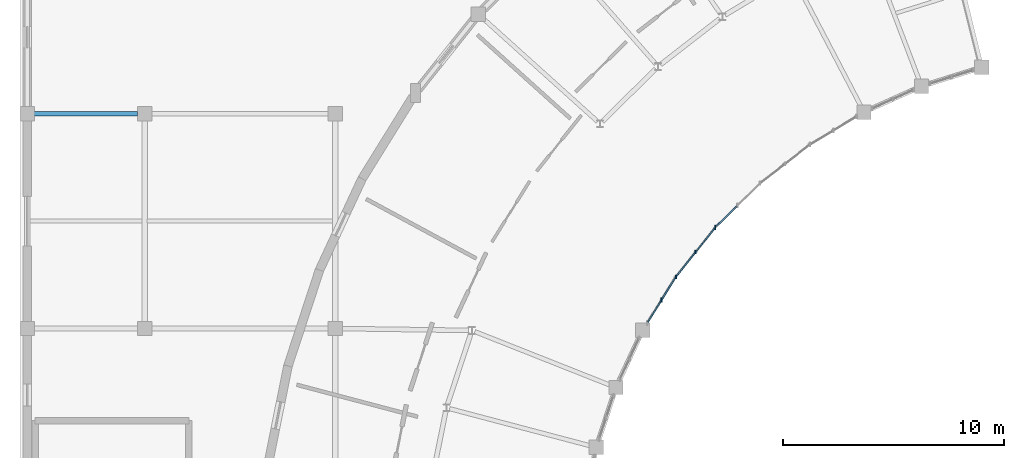
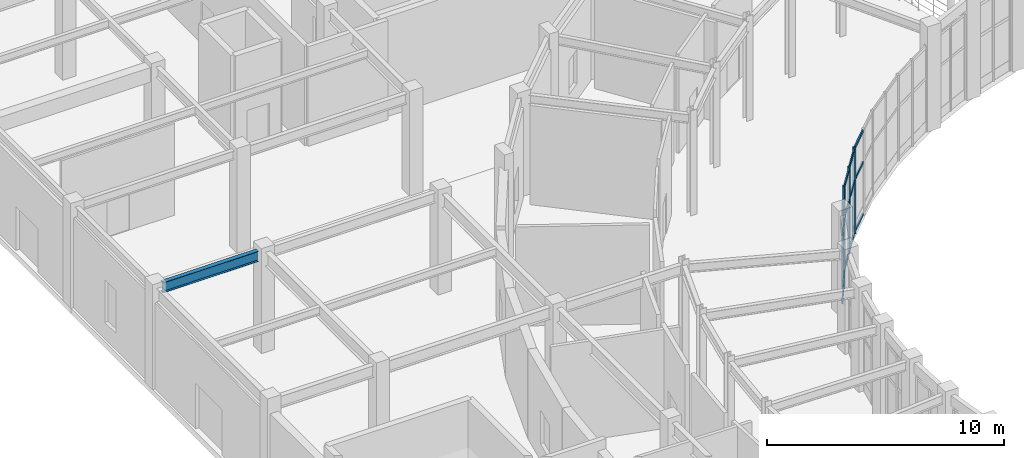
# One storey, part 28 of 93: 19 members, 1 beam, 3 elements without a shape of their own.
"""IFC4 building model written with IfcOpenShell, lengths in metres."""

from ifc_helpers import new_model, si_unit, direction, frame, origin, origin_2d, place, context, subcontext, project, spatial, rectangle, i_section, extrude, material, material_profile, profile_set, type_object, element, aggregate, save


model = new_model("IFC4")

# Units and contexts
model_context = context("Model", 3, precision=1e-05, world=origin(), true_north=direction((0.0, 1.0)))
body_context = subcontext(model_context, "Body", "Model", "MODEL_VIEW")
ifc_project = project(units=[si_unit("LENGTHUNIT", "METRE"), si_unit("AREAUNIT", "SQUARE_METRE"), si_unit("VOLUMEUNIT", "CUBIC_METRE"), si_unit("PLANEANGLEUNIT", "RADIAN"), si_unit("MASSUNIT", "GRAM", prefix="KILO")], contexts=[model_context])

# Site, building, storey
site_placement = place(None, origin())
site = spatial("IfcSite", under=ifc_project, at=site_placement, CompositionType="ELEMENT")
building_placement = place(site_placement, origin())
building = spatial("IfcBuilding", under=site, at=building_placement, Name="Cinderbank Siding Concert Hall", CompositionType="ELEMENT")
storey_placement = place(building_placement, origin())
storey = spatial("IfcBuildingStorey", under=building, at=storey_placement, Name="L01", CompositionType="ELEMENT", Elevation=0.0)

# Beam
ifc_material_1 = material(Name="Structural steel AS/NZS 3679.1 Grade 350 (340 MPa)", Category="steel")
ifc_material_profile_1 = material_profile(ifc_material_1, i_section(OverallWidth=0.208984375, OverallDepth=0.5283203125, WebThickness=0.009521484375, FlangeThickness=0.01318359375, at=origin_2d()), Name="530UB82.0", Category="LoadBearing")
ifc_profile_set_1 = profile_set([ifc_material_profile_1], Name="Structural steel AS/NZS 3679.1 Grade 350 (340 MPa)")
beam_type = type_object("IfcBeamType", Name="BM-UB530 530UB82.0", PredefinedType="BEAM", material=ifc_profile_set_1)
beam_placement = place(storey_placement, frame((7.4169921875, 89.199951171875, 4.8779296875), z_axis=(1.0, 0.0, 0.0), x_axis=(0.0, 1.0, 0.0)))
element("IfcBeam", 1, at=beam_placement, inside=storey, type_object=beam_type, Name="L01 Beam BM-UB530 #1427", PredefinedType="BEAM", context=body_context, shape_type="SweptSolid", body=[
    extrude(i_section(OverallWidth=0.208984375, OverallDepth=0.5283203125, WebThickness=0.009521484375, FlangeThickness=0.01318359375, at=origin_2d()), origin(), (0.0, 0.0, 1.0), 4.666015625),
])

# Curtain wall, members
ifc_material_2 = material(Name="Anodised aluminium alloy 6063-T6", Category="aluminium")
curtain_wall_type_1 = type_object("IfcCurtainWallType", Name="CW-14 Unitised Acoustic Curtain Wall 4200x3800", PredefinedType="NOTDEFINED", material=ifc_material_2)
curtain_wall_1_placement = place(storey_placement, origin())
curtain_wall_1 = element("IfcCurtainWall", 2, at=curtain_wall_1_placement, inside=storey, type_object=curtain_wall_type_1, Name="L01 Curtain Wall CW-14 #98", PredefinedType="NOTDEFINED")
ifc_material_profile_2 = material_profile(ifc_material_2, rectangle(XDim=0.06005859375, YDim=0.159912109375, at=origin_2d()), Name="ALU-MULL-60x160", Category="LoadBearing")
ifc_profile_set_2 = profile_set([ifc_material_profile_2], Name="Anodised aluminium alloy 6063-T6")
member_type_1 = type_object("IfcMemberType", Name="CW-ML1 Mullion 60x160", PredefinedType="MULLION", material=ifc_profile_set_2)
member_1_placement = place(storey_placement, frame((37.276611328125, 82.94677734375, 0.0), z_axis=(0.0, 0.0, 1.0), x_axis=(1.0, 0.0, 0.0)))
member_1 = element("IfcMember", 3, at=member_1_placement, type_object=member_type_1, Name="CW-L01-098 Mullion 1", PredefinedType="MULLION", context=body_context, shape_type="SweptSolid", body=[
    extrude(rectangle(XDim=0.06005859375, YDim=0.159912109375, at=origin_2d()), origin(), (0.0, 0.0, 1.0), 4.39990234375),
])
member_2_placement = place(storey_placement, frame((36.388427734375, 81.83447265625, 0.0), z_axis=(0.0, 0.0, 1.0), x_axis=(1.0, 0.0, 0.0)))
member_2 = element("IfcMember", 4, at=member_2_placement, type_object=member_type_1, Name="CW-L01-098 Mullion 2", PredefinedType="MULLION", context=body_context, shape_type="SweptSolid", body=[
    extrude(rectangle(XDim=0.06005859375, YDim=0.159912109375, at=origin_2d()), origin(), (0.0, 0.0, 1.0), 4.39990234375),
])

# Curtain wall, member
curtain_wall_type_2 = type_object("IfcCurtainWallType", Name="CW-13 Unitised Acoustic Curtain Wall 4200x4400", PredefinedType="NOTDEFINED", material=ifc_material_2)
curtain_wall_2_placement = place(storey_placement, origin())
curtain_wall_2 = element("IfcCurtainWall", 5, at=curtain_wall_2_placement, inside=storey, type_object=curtain_wall_type_2, Name="L01 Curtain Wall CW-13 #97", PredefinedType="NOTDEFINED")
ifc_material_profile_3 = material_profile(ifc_material_2, rectangle(XDim=0.06494140625, YDim=0.199951171875, at=origin_2d()), Name="ALU-MULL-65x200", Category="LoadBearing")
ifc_profile_set_3 = profile_set([ifc_material_profile_3], Name="Anodised aluminium alloy 6063-T6")
member_type_2 = type_object("IfcMemberType", Name="CW-ML2 Mullion 65x200", PredefinedType="MULLION", material=ifc_profile_set_3)
member_3_placement = place(storey_placement, frame((38.16455078125, 84.05908203125, 0.0), z_axis=(0.0, 0.0, 1.0), x_axis=(1.0, 0.0, 0.0)))
member_3 = element("IfcMember", 6, at=member_3_placement, type_object=member_type_2, Name="CW-L01-097 Mullion 2", PredefinedType="MULLION", context=body_context, shape_type="SweptSolid", body=[
    extrude(rectangle(XDim=0.06494140625, YDim=0.199951171875, at=origin_2d()), origin(), (0.0, 0.0, 1.0), 4.39990234375),
])

curtain_wall_3_placement = place(storey_placement, origin())
curtain_wall_3 = element("IfcCurtainWall", 7, at=curtain_wall_3_placement, inside=storey, type_object=curtain_wall_type_2, Name="L01 Curtain Wall CW-13 #99", PredefinedType="NOTDEFINED")
member_4_placement = place(storey_placement, frame((35.7412109375, 80.790283203125, 0.0), z_axis=(0.0, 0.0, 1.0), x_axis=(1.0, 0.0, 0.0)))
member_4 = element("IfcMember", 8, at=member_4_placement, type_object=member_type_2, Name="CW-L01-099 Mullion 1", PredefinedType="MULLION", context=body_context, shape_type="SweptSolid", body=[
    extrude(rectangle(XDim=0.06494140625, YDim=0.199951171875, at=origin_2d()), origin(), (0.0, 0.0, 1.0), 4.39990234375),
])

# Member
ifc_material_profile_4 = material_profile(ifc_material_2, rectangle(XDim=0.06005859375, YDim=0.1201171875, at=origin_2d()), Name="ALU-TRAN-60x120", Category="LoadBearing")
ifc_profile_set_4 = profile_set([ifc_material_profile_4], Name="Anodised aluminium alloy 6063-T6")
member_type_3 = type_object("IfcMemberType", Name="CW-TR1 Transom 60x120", PredefinedType="USERDEFINED", material=ifc_profile_set_4)
member_5_placement = place(storey_placement, frame((38.1201171875, 84.00341796875, 0.06005859375), z_axis=(-0.623997511467, -0.781426327738, 0.0), x_axis=(0.781426327738, -0.623997511467, 0.0)))
member_5 = element("IfcMember", 9, at=member_5_placement, type_object=member_type_3, Name="CW-L01-098 Transom 0-0", ObjectType="TRANSOM", PredefinedType="USERDEFINED", context=body_context, shape_type="SweptSolid", body=[
    extrude(rectangle(XDim=0.06005859375, YDim=0.1201171875, at=origin_2d()), origin(), (0.0, 0.0, 1.0), 1.281005859375),
])

member_6_placement = place(storey_placement, frame((38.1201171875, 84.00341796875, 2.72802734375), z_axis=(-0.623997511467, -0.781426327738, 0.0), x_axis=(0.781426327738, -0.623997511467, 0.0)))
member_6 = element("IfcMember", 10, at=member_6_placement, type_object=member_type_3, Name="CW-L01-098 Transom 0-1", ObjectType="TRANSOM", PredefinedType="USERDEFINED", context=body_context, shape_type="SweptSolid", body=[
    extrude(rectangle(XDim=0.06005859375, YDim=0.1201171875, at=origin_2d()), origin(), (0.0, 0.0, 1.0), 1.281005859375),
])

member_7_placement = place(storey_placement, frame((38.1201171875, 84.00341796875, 4.340087890625), z_axis=(-0.623997511467, -0.781426327738, 0.0), x_axis=(0.781426327738, -0.623997511467, 0.0)))
member_7 = element("IfcMember", 11, at=member_7_placement, type_object=member_type_3, Name="CW-L01-098 Transom 0-2", ObjectType="TRANSOM", PredefinedType="USERDEFINED", context=body_context, shape_type="SweptSolid", body=[
    extrude(rectangle(XDim=0.06005859375, YDim=0.1201171875, at=origin_2d()), origin(), (0.0, 0.0, 1.0), 1.281005859375),
])

member_8_placement = place(storey_placement, frame((37.232177734375, 82.89111328125, 0.06005859375), z_axis=(-0.623904586799, -0.781500522438, 0.0), x_axis=(0.781500522438, -0.623904586799, 0.0)))
member_8 = element("IfcMember", 12, at=member_8_placement, type_object=member_type_3, Name="CW-L01-098 Transom 1-0", ObjectType="TRANSOM", PredefinedType="USERDEFINED", context=body_context, shape_type="SweptSolid", body=[
    extrude(rectangle(XDim=0.06005859375, YDim=0.1201171875, at=origin_2d()), origin(), (0.0, 0.0, 1.0), 1.28125),
])

member_9_placement = place(storey_placement, frame((37.232177734375, 82.89111328125, 2.72802734375), z_axis=(-0.623904586799, -0.781500522438, 0.0), x_axis=(0.781500522438, -0.623904586799, 0.0)))
member_9 = element("IfcMember", 13, at=member_9_placement, type_object=member_type_3, Name="CW-L01-098 Transom 1-1", ObjectType="TRANSOM", PredefinedType="USERDEFINED", context=body_context, shape_type="SweptSolid", body=[
    extrude(rectangle(XDim=0.06005859375, YDim=0.1201171875, at=origin_2d()), origin(), (0.0, 0.0, 1.0), 1.28125),
])

member_10_placement = place(storey_placement, frame((37.232177734375, 82.89111328125, 4.340087890625), z_axis=(-0.623904586799, -0.781500522438, 0.0), x_axis=(0.781500522438, -0.623904586799, 0.0)))
member_10 = element("IfcMember", 14, at=member_10_placement, type_object=member_type_3, Name="CW-L01-098 Transom 1-2", ObjectType="TRANSOM", PredefinedType="USERDEFINED", context=body_context, shape_type="SweptSolid", body=[
    extrude(rectangle(XDim=0.06005859375, YDim=0.1201171875, at=origin_2d()), origin(), (0.0, 0.0, 1.0), 1.28125),
])

aggregate(curtain_wall_1, [member_1, member_2, member_5, member_6, member_7, member_8, member_9, member_10])

ifc_material_profile_5 = material_profile(ifc_material_2, rectangle(XDim=0.06494140625, YDim=0.14990234375, at=origin_2d()), Name="ALU-TRAN-65x150", Category="LoadBearing")
ifc_profile_set_5 = profile_set([ifc_material_profile_5], Name="Anodised aluminium alloy 6063-T6")
member_type_4 = type_object("IfcMemberType", Name="CW-TR2 Transom 65x150", PredefinedType="USERDEFINED", material=ifc_profile_set_5)
member_11_placement = place(storey_placement, frame((39.127197265625, 85.008544921875, 0.06005859375), z_axis=(-0.71204476129, -0.702134074034, 0.0), x_axis=(0.702134074034, -0.71204476129, 0.0)))
member_11 = element("IfcMember", 15, at=member_11_placement, type_object=member_type_4, Name="CW-L01-097 Transom 1-0", ObjectType="TRANSOM", PredefinedType="USERDEFINED", context=body_context, shape_type="SweptSolid", body=[
    extrude(rectangle(XDim=0.06494140625, YDim=0.14990234375, at=origin_2d()), origin(), (0.0, 0.0, 1.0), 1.281005859375),
])

member_12_placement = place(storey_placement, frame((39.127197265625, 85.008544921875, 2.72802734375), z_axis=(-0.71204476129, -0.702134074034, 0.0), x_axis=(0.702134074034, -0.71204476129, 0.0)))
member_12 = element("IfcMember", 16, at=member_12_placement, type_object=member_type_4, Name="CW-L01-097 Transom 1-1", ObjectType="TRANSOM", PredefinedType="USERDEFINED", context=body_context, shape_type="SweptSolid", body=[
    extrude(rectangle(XDim=0.06494140625, YDim=0.14990234375, at=origin_2d()), origin(), (0.0, 0.0, 1.0), 1.281005859375),
])

member_13_placement = place(storey_placement, frame((39.127197265625, 85.008544921875, 4.340087890625), z_axis=(-0.71204476129, -0.702134074034, 0.0), x_axis=(0.702134074034, -0.71204476129, 0.0)))
member_13 = element("IfcMember", 17, at=member_13_placement, type_object=member_type_4, Name="CW-L01-097 Transom 1-2", ObjectType="TRANSOM", PredefinedType="USERDEFINED", context=body_context, shape_type="SweptSolid", body=[
    extrude(rectangle(XDim=0.06494140625, YDim=0.14990234375, at=origin_2d()), origin(), (0.0, 0.0, 1.0), 1.281005859375),
])

aggregate(curtain_wall_2, [member_3, member_11, member_12, member_13])

member_14_placement = place(storey_placement, frame((36.356201171875, 81.7822265625, 0.06005859375), z_axis=(-0.526879054979, -0.849940269327, 0.0), x_axis=(0.849940269327, -0.526879054979, 0.0)))
member_14 = element("IfcMember", 18, at=member_14_placement, type_object=member_type_4, Name="CW-L01-099 Transom 0-0", ObjectType="TRANSOM", PredefinedType="USERDEFINED", context=body_context, shape_type="SweptSolid", body=[
    extrude(rectangle(XDim=0.06494140625, YDim=0.14990234375, at=origin_2d()), origin(), (0.0, 0.0, 1.0), 1.105712890625),
])

member_15_placement = place(storey_placement, frame((36.356201171875, 81.7822265625, 2.72802734375), z_axis=(-0.526879054979, -0.849940269327, 0.0), x_axis=(0.849940269327, -0.526879054979, 0.0)))
member_15 = element("IfcMember", 19, at=member_15_placement, type_object=member_type_4, Name="CW-L01-099 Transom 0-1", ObjectType="TRANSOM", PredefinedType="USERDEFINED", context=body_context, shape_type="SweptSolid", body=[
    extrude(rectangle(XDim=0.06494140625, YDim=0.14990234375, at=origin_2d()), origin(), (0.0, 0.0, 1.0), 1.105712890625),
])

member_16_placement = place(storey_placement, frame((36.356201171875, 81.7822265625, 4.340087890625), z_axis=(-0.526879054979, -0.849940269327, 0.0), x_axis=(0.849940269327, -0.526879054979, 0.0)))
member_16 = element("IfcMember", 20, at=member_16_placement, type_object=member_type_4, Name="CW-L01-099 Transom 0-2", ObjectType="TRANSOM", PredefinedType="USERDEFINED", context=body_context, shape_type="SweptSolid", body=[
    extrude(rectangle(XDim=0.06494140625, YDim=0.14990234375, at=origin_2d()), origin(), (0.0, 0.0, 1.0), 1.105712890625),
])

member_17_placement = place(storey_placement, frame((35.708740234375, 80.73828125, 0.06005859375), z_axis=(-0.526879054979, -0.849940269327, 0.0), x_axis=(0.849940269327, -0.526879054979, 0.0)))
member_17 = element("IfcMember", 21, at=member_17_placement, type_object=member_type_4, Name="CW-L01-099 Transom 1-0", ObjectType="TRANSOM", PredefinedType="USERDEFINED", context=body_context, shape_type="SweptSolid", body=[
    extrude(rectangle(XDim=0.06494140625, YDim=0.14990234375, at=origin_2d()), origin(), (0.0, 0.0, 1.0), 1.105712890625),
])

member_18_placement = place(storey_placement, frame((35.708740234375, 80.73828125, 2.72802734375), z_axis=(-0.526879054979, -0.849940269327, 0.0), x_axis=(0.849940269327, -0.526879054979, 0.0)))
member_18 = element("IfcMember", 22, at=member_18_placement, type_object=member_type_4, Name="CW-L01-099 Transom 1-1", ObjectType="TRANSOM", PredefinedType="USERDEFINED", context=body_context, shape_type="SweptSolid", body=[
    extrude(rectangle(XDim=0.06494140625, YDim=0.14990234375, at=origin_2d()), origin(), (0.0, 0.0, 1.0), 1.105712890625),
])

member_19_placement = place(storey_placement, frame((35.708740234375, 80.73828125, 4.340087890625), z_axis=(-0.526879054979, -0.849940269327, 0.0), x_axis=(0.849940269327, -0.526879054979, 0.0)))
member_19 = element("IfcMember", 23, at=member_19_placement, type_object=member_type_4, Name="CW-L01-099 Transom 1-2", ObjectType="TRANSOM", PredefinedType="USERDEFINED", context=body_context, shape_type="SweptSolid", body=[
    extrude(rectangle(XDim=0.06494140625, YDim=0.14990234375, at=origin_2d()), origin(), (0.0, 0.0, 1.0), 1.105712890625),
])

aggregate(curtain_wall_3, [member_4, member_14, member_15, member_16, member_17, member_18, member_19])

save(model, "model.ifc")
